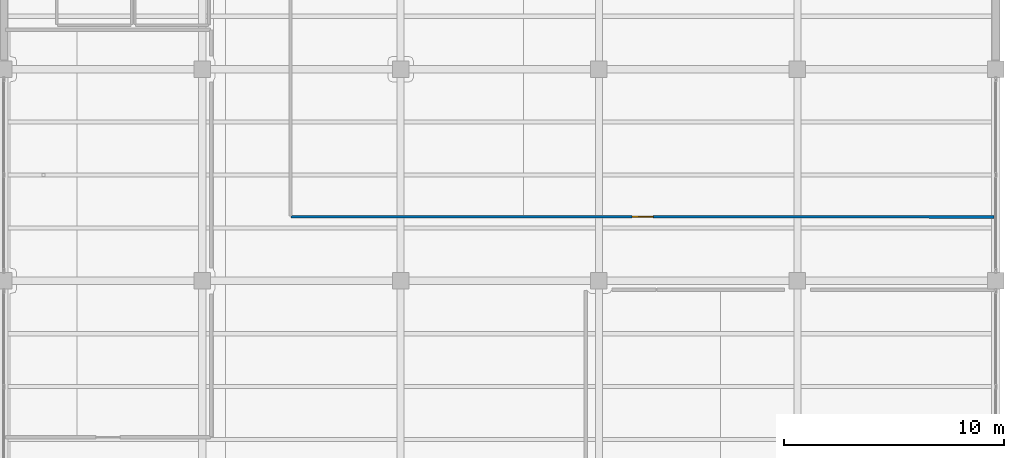
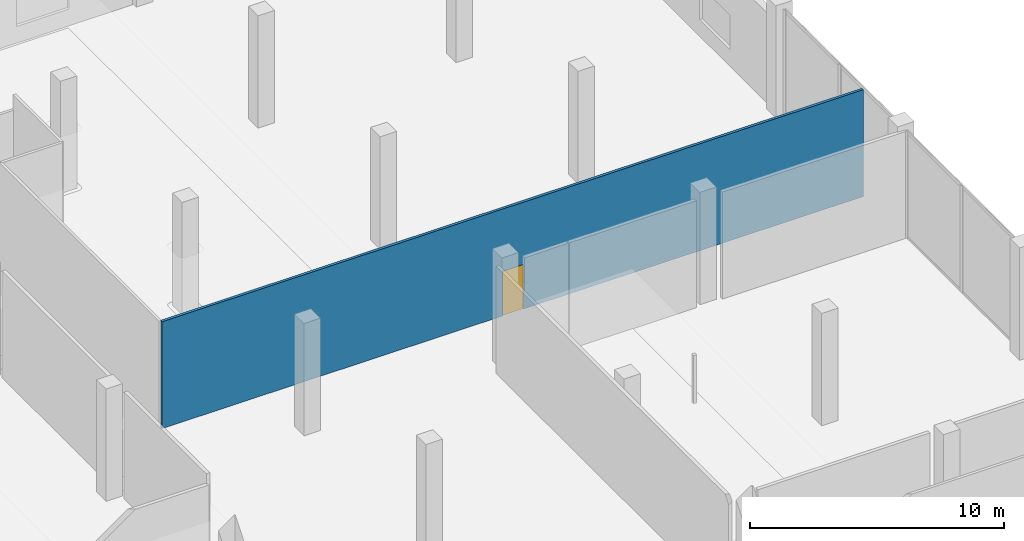
# One storey, part 32 of 47: 1 door, 1 wall, 1 opening.
"""IFC4 building model written with IfcOpenShell, lengths in metres."""

from ifc_helpers import new_model, si_unit, direction, frame, frame_2d, origin, place, context, subcontext, project, spatial, rectangle, extrude, material, layer, layer_set, type_object, element, fill, save


model = new_model("IFC4")

# Units and contexts
model_context = context("Model", 3, precision=1e-05, world=origin(), true_north=direction((0.0, 1.0)))
body_context = subcontext(model_context, "Body", "Model", "MODEL_VIEW")
ifc_project = project(units=[si_unit("LENGTHUNIT", "METRE"), si_unit("AREAUNIT", "SQUARE_METRE"), si_unit("VOLUMEUNIT", "CUBIC_METRE"), si_unit("PLANEANGLEUNIT", "RADIAN"), si_unit("MASSUNIT", "GRAM", prefix="KILO")], contexts=[model_context])

# Site, building, storey
site_placement = place(None, origin())
site = spatial("IfcSite", under=ifc_project, at=site_placement, CompositionType="ELEMENT")
building_placement = place(site_placement, origin())
building = spatial("IfcBuilding", under=site, at=building_placement, Name="Qorvath Tower", CompositionType="ELEMENT")
storey_placement = place(building_placement, frame((0.0, 0.0, 6.60009765625)))
storey = spatial("IfcBuildingStorey", under=building, at=storey_placement, Name="L01", CompositionType="ELEMENT", Elevation=6.60009765625)

# Wall, opening, door
ifc_material_1 = material(Name="Gypsum board on metal studs with mineral wool", Category="gypsum")
ifc_layer = layer(ifc_material_1, 0.125)
ifc_layer_set = layer_set([ifc_layer], Name="IW-PART-125")
wall_type = type_object("IfcWallType", Name="IW-PART-125", PredefinedType="PARTITIONING", material=ifc_layer_set)
wall_placement = place(storey_placement, frame((45.43310546875, 12.508056640625, 0.0), z_axis=(0.0, 0.0, 1.0), x_axis=(0.999999968081, -0.000252662519, 0.0)))
wall = element("IfcWall", 1, at=wall_placement, inside=storey, type_object=wall_type, Name="Interior Partition IW-LB-L01-021", PredefinedType="PARTITIONING", context=body_context, shape_type="SweptSolid", body=[
    extrude(rectangle(XDim=31.886962890625, YDim=0.125, at=frame_2d((15.943359375, 0.0))), origin(), (0.0, 0.0, 1.0), 5.139892578125),
])
opening_placement = place(wall_placement, frame((15.468505859375, 0.0, 0.0)))
opening = element("IfcOpeningElement", 2, at=opening_placement, cuts=wall, Name="Opening D-LB-L01-05", PredefinedType="OPENING", context=body_context, shape_type="SweptSolid", body=[
    extrude(rectangle(XDim=0.949951171875, YDim=2.14990234375, at=frame_2d((0.47509765625, 1.074951171875))), frame((0.0, 0.072509765625, 0.0), z_axis=(0.0, -1.0, 0.0), x_axis=(1.0, 0.0, 0.0)), (0.0, 0.0, 1.0), 0.14501953125),
])
ifc_material_2 = material(Name="Solid-core American white oak veneer", Category="wood")
door_type = type_object("IfcDoorType", Name="D-01", OperationType="NOTDEFINED", PredefinedType="DOOR", material=ifc_material_2)
door_placement = place(opening_placement, origin())
door = element("IfcDoor", 3, at=door_placement, inside=storey, type_object=door_type, Name="L-L01-STK-N Open Book Stack Collection North L01 Door D-LB-L01-05", OperationType="SINGLE_SWING_RIGHT", OverallHeight=2.14990234375, OverallWidth=0.949951171875, PredefinedType="DOOR", context=body_context, shape_type="SweptSolid", body=[
    extrude(rectangle(XDim=0.949951171875, YDim=2.14990234375, at=frame_2d((0.47509765625, 1.074951171875))), frame((0.0, 0.02490234375, 0.0), z_axis=(0.0, -1.0, 0.0), x_axis=(1.0, 0.0, 0.0)), (0.0, 0.0, 1.0), 0.050048828125),
])
fill(opening, door)

save(model, "model.ifc")
